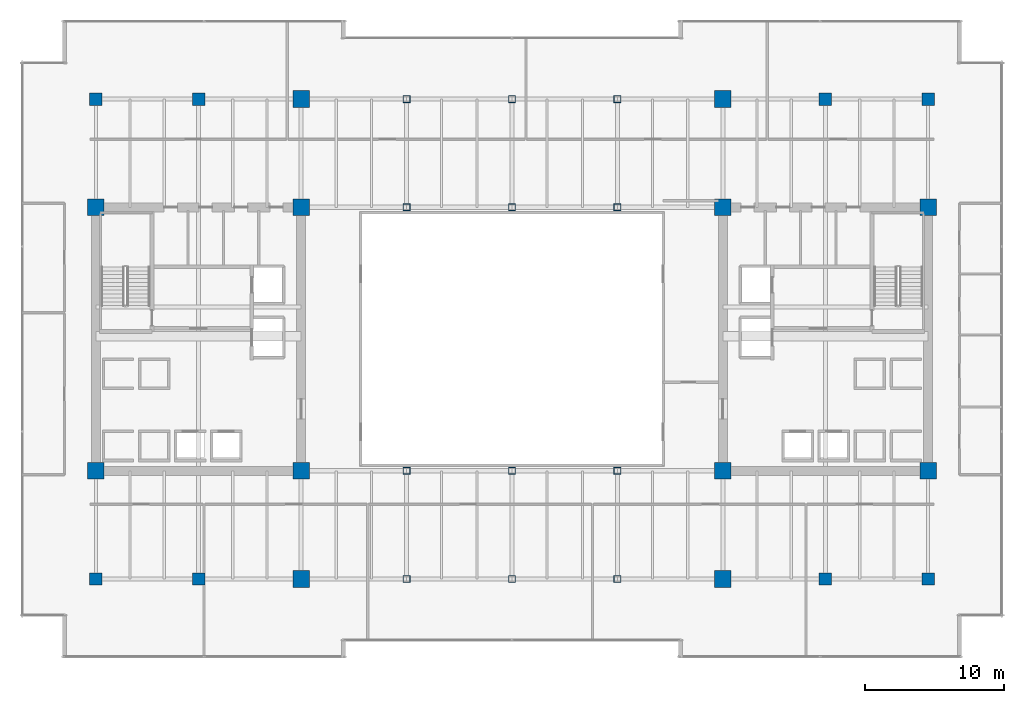
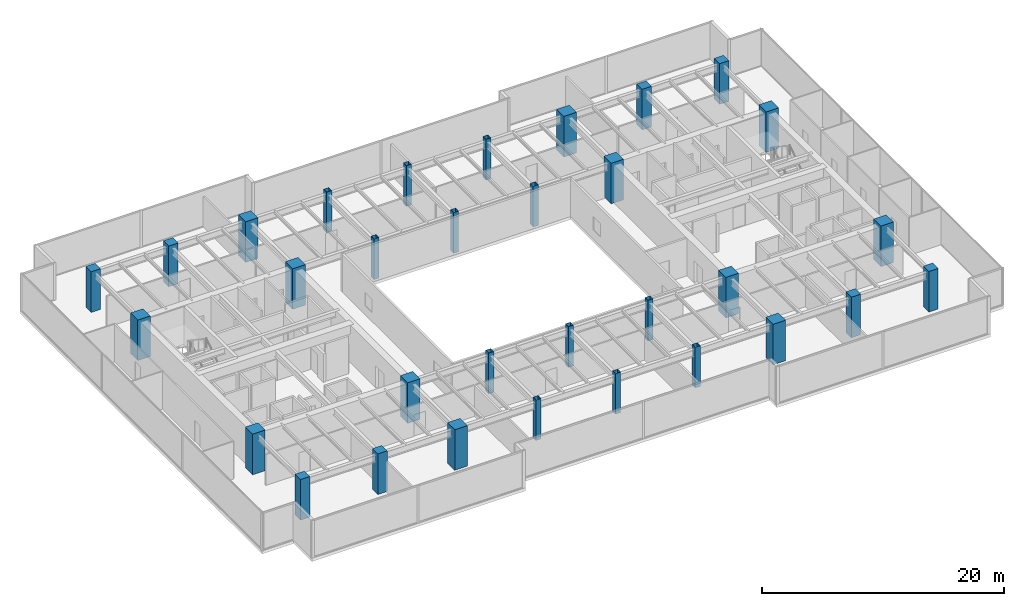
# One storey, part 1 of 30: 32 columns.
"""IFC4 building model written with IfcOpenShell, lengths in metres."""

import ifcopenshell
import ifcopenshell.guid

model = None  # the IFC model being written
_history = None  # IfcOwnerHistory: only IFC2X3 demands one
_inside = {}  # id of a spatial element -> (the spatial element, [elements in it])
_under = {}  # id of a project, library or spatial element -> (it, [spatial elements below it])
_declared = {}  # id of a project -> (the project, [libraries it declares])
_typed = {}  # id of a type object -> (the type object, [elements of that type])
_made_of = {}  # id of a material, layer set ... -> (it, [elements and type objects made of it])


def new_model(schema):
    """Start an empty IFC model of exactly this schema.

    Asked for "IFC4X3", IfcOpenShell would pick the latest addendum, in which some entities
    have other attributes; the version numbers below select the first issue.
    IFC2X3 requires an IfcOwnerHistory on every rooted entity: one is made here for all.
    """
    global model, _history
    if schema == "IFC4X3":
        model = ifcopenshell.file(schema_version=(4, 3, 0, 0))
    else:
        model = ifcopenshell.file(schema=schema)
    _inside.clear()
    _under.clear()
    _declared.clear()
    _typed.clear()
    _made_of.clear()
    _history = None
    if model.schema == "IFC2X3":
        org = make("IfcOrganization", Name="unknown")
        user = make(
            "IfcPersonAndOrganization",
            ThePerson=make("IfcPerson", FamilyName="unknown"),
            TheOrganization=org,
        )
        app = make(
            "IfcApplication",
            ApplicationDeveloper=org,
            Version="unknown",
            ApplicationFullName="unknown",
            ApplicationIdentifier="unknown",
        )
        _history = make(
            "IfcOwnerHistory",
            OwningUser=user,
            OwningApplication=app,
            ChangeAction="ADDED",
            CreationDate=0,
        )
    return model


def make(cls, **values):
    """One entity of the class cls with the attributes given. An attribute that is None is left unset."""
    return model.create_entity(
        cls, **{name: value for name, value in values.items() if value is not None}
    )


def rooted(cls, **values):
    """An entity with a GlobalId (a new one), such as an element, a storey or a relation."""
    return make(cls, GlobalId=ifcopenshell.guid.new(), OwnerHistory=_history, **values)


def si_unit(unit_type, name, prefix=None):
    """IfcSIUnit, for example si_unit("LENGTHUNIT", "METRE", prefix="MILLI")."""
    return make("IfcSIUnit", UnitType=unit_type, Prefix=prefix, Name=name)


def assignment(units):
    """IfcUnitAssignment: the units of a project."""
    return None if units is None else make("IfcUnitAssignment", Units=units)


def point(xyz):
    """IfcCartesianPoint."""
    return None if xyz is None else make("IfcCartesianPoint", Coordinates=xyz)


def direction(xyz):
    """IfcDirection."""
    return None if xyz is None else make("IfcDirection", DirectionRatios=xyz)


def frame(location, z_axis=None, x_axis=None):
    """IfcAxis2Placement3D, a coordinate frame: its origin and axes. An axis left out is left unset."""
    return make(
        "IfcAxis2Placement3D",
        Location=point(location),
        Axis=direction(z_axis),
        RefDirection=direction(x_axis),
    )


def frame_2d(location, x_axis=None):
    """IfcAxis2Placement2D, a coordinate frame in the plane: its origin and x axis."""
    return make(
        "IfcAxis2Placement2D", Location=point(location), RefDirection=direction(x_axis)
    )


def origin():
    """The frame at (0, 0, 0) with its axes left unset."""
    return frame((0.0, 0.0, 0.0))


def origin_2d():
    """The frame at (0, 0) in the plane with its x axis left unset."""
    return frame_2d((0.0, 0.0))


def place(relative_to, where):
    """IfcLocalPlacement: puts the frame where relative to a parent placement (None: the world)."""
    return make(
        "IfcLocalPlacement", PlacementRelTo=relative_to, RelativePlacement=where
    )


def context(
    kind, dimensions, precision=None, world=None, true_north=None, identifier=None
):
    """IfcGeometricRepresentationContext, for example the 3D "Model" context."""
    return make(
        "IfcGeometricRepresentationContext",
        ContextIdentifier=identifier,
        ContextType=kind,
        CoordinateSpaceDimension=dimensions,
        Precision=precision,
        WorldCoordinateSystem=world,
        TrueNorth=true_north,
    )


def subcontext(parent, identifier, kind, view, scale=None):
    """IfcGeometricRepresentationSubContext, for example "Body" below "Model"."""
    return make(
        "IfcGeometricRepresentationSubContext",
        ContextIdentifier=identifier,
        ContextType=kind,
        ParentContext=parent,
        TargetScale=scale,
        TargetView=view,
    )


def project(units=None, contexts=None):
    """IfcProject with its units and contexts."""
    return rooted(
        "IfcProject",
        Name="project",
        RepresentationContexts=contexts,
        UnitsInContext=assignment(units),
    )


def spatial(cls, under=None, at=None, **own):
    """A site, building, storey or space (cls), placed at a placement, below another one or the project."""
    s = rooted(cls, ObjectPlacement=at, **own)
    if under is not None:
        _under.setdefault(under.id(), (under, []))[1].append(s)
    return s


def profile(cls, at=None, kind="AREA", **sizes):
    """A parametric profile (cls). Its sizes go by their IFC names, for example OverallWidth=200.0."""
    return make(cls, ProfileType=kind, Position=at, **sizes)


def rectangle(**sizes):
    """IfcRectangleProfileDef."""
    return profile("IfcRectangleProfileDef", **sizes)


def hollow_rectangle(**sizes):
    """IfcRectangleHollowProfileDef."""
    return profile("IfcRectangleHollowProfileDef", **sizes)


def extrude(swept, where, along, depth):
    """IfcExtrudedAreaSolid: the profile swept, set in the frame where, extruded along a direction by depth."""
    return make(
        "IfcExtrudedAreaSolid",
        SweptArea=swept,
        Position=where,
        ExtrudedDirection=direction(along),
        Depth=depth,
    )


def shape(context_of_items, identifier, shape_type, items):
    """IfcShapeRepresentation: the items that make up one representation, for example the "Body"."""
    return make(
        "IfcShapeRepresentation",
        ContextOfItems=context_of_items,
        RepresentationIdentifier=identifier,
        RepresentationType=shape_type,
        Items=items,
    )


def source(mapping_origin, context_of_items, identifier, shape_type, items):
    """IfcRepresentationMap: a shape defined once, which mapped items show again and again."""
    return make(
        "IfcRepresentationMap",
        MappingOrigin=mapping_origin,
        MappedRepresentation=shape(context_of_items, identifier, shape_type, items),
    )


def transform(
    local_origin,
    x_axis=None,
    y_axis=None,
    z_axis=None,
    scale=None,
    scale2=None,
    scale3=None,
    uniform=True,
):
    """IfcCartesianTransformationOperator3D, or its non-uniform kind. x_axis, y_axis, z_axis: its Axis1, 2, 3."""
    if uniform:
        return make(
            "IfcCartesianTransformationOperator3D",
            Axis1=direction(x_axis),
            Axis2=direction(y_axis),
            LocalOrigin=point(local_origin),
            Scale=scale,
            Axis3=direction(z_axis),
        )
    return make(
        "IfcCartesianTransformationOperator3DnonUniform",
        Axis1=direction(x_axis),
        Axis2=direction(y_axis),
        LocalOrigin=point(local_origin),
        Scale=scale,
        Axis3=direction(z_axis),
        Scale2=scale2,
        Scale3=scale3,
    )


def mapped(mapping_source, mapping_target):
    """IfcMappedItem: shows the shape of a source again, moved by a transform."""
    return make(
        "IfcMappedItem", MappingSource=mapping_source, MappingTarget=mapping_target
    )


def material(Name=None, Category=None):
    """IfcMaterial."""
    return make("IfcMaterial", Name=Name, Category=Category)


def material_profile(
    of_material, cross_section, Name=None, Category=None, Priority=None
):
    """IfcMaterialProfile: a cross section and its material."""
    return make(
        "IfcMaterialProfile",
        Name=Name,
        Material=of_material,
        Profile=cross_section,
        Priority=Priority,
        Category=Category,
    )


def profile_set(profiles, Name=None, composite=None):
    """IfcMaterialProfileSet."""
    return make(
        "IfcMaterialProfileSet",
        Name=Name,
        MaterialProfiles=profiles,
        CompositeProfile=composite,
    )


def made_of(thing, what):
    """Note that an element or type object is made of a material, layer set ...; save() writes the relation."""
    if what is not None:
        _made_of.setdefault(what.id(), (what, []))[1].append(thing)
    return thing


def type_object(cls, material=None, **own):
    """A type object (cls), such as IfcWallType, which elements share."""
    return made_of(rooted(cls, **own), material)


def type_shapes(of_type, sources):
    """Give a type object the sources (RepresentationMaps) that its elements show as mapped items."""
    of_type.RepresentationMaps = sources


def element(
    cls,
    number,
    at=None,
    inside=None,
    cuts=None,
    type_object=None,
    material=None,
    context=None,
    identifier="Body",
    shape_type=None,
    held_by="IfcProductDefinitionShape",
    body=None,
    shapes=None,
    **own,
):
    """One element of the class cls, such as IfcWall. Its Tag is "e" and its number.

    at: its placement. inside: the storey or other place that contains it. cuts: it is an
    opening in that element (IfcRelVoidsElement). A single representation is given by context,
    identifier, shape_type and body (its items); several are given by shapes. held_by: the class
    of the entity that holds the representations. save() writes the other relations.
    """
    e = rooted(cls, Tag="e%d" % number, ObjectPlacement=at, **own)
    if body is not None:
        shapes = [shape(context, identifier, shape_type, body)]
    if shapes is not None:
        e.Representation = make(held_by, Representations=shapes)
    if inside is not None:
        _inside.setdefault(inside.id(), (inside, []))[1].append(e)
    if cuts is not None:
        rooted(
            "IfcRelVoidsElement", RelatingBuildingElement=cuts, RelatedOpeningElement=e
        )
    if type_object is not None:
        _typed.setdefault(type_object.id(), (type_object, []))[1].append(e)
    return made_of(e, material)


def aggregate(whole, parts):
    """IfcRelAggregates: a whole, such as a stair, and the parts it consists of."""
    return rooted("IfcRelAggregates", RelatingObject=whole, RelatedObjects=parts)


def save(model, path):
    """Write the relations noted so far, then the file.

    IfcRelAggregates (storeys below a building ...), IfcRelContainedInSpatialStructure (elements
    in a storey), IfcRelDefinesByType, IfcRelAssociatesMaterial and IfcRelDeclares: one each for
    every whole, place, type object, material and project.
    """
    for whole, parts in _under.values():
        aggregate(whole, parts)
    for where, things in _inside.values():
        rooted(
            "IfcRelContainedInSpatialStructure",
            RelatedElements=things,
            RelatingStructure=where,
        )
    for kind, things in _typed.values():
        rooted("IfcRelDefinesByType", RelatedObjects=things, RelatingType=kind)
    for what, things in _made_of.values():
        rooted("IfcRelAssociatesMaterial", RelatedObjects=things, RelatingMaterial=what)
    for by, libraries in _declared.values():
        rooted("IfcRelDeclares", RelatingContext=by, RelatedDefinitions=libraries)
    model.write(path)


model = new_model("IFC4")

# Units and contexts
model_context = context("Model", 3, precision=1e-05, world=origin(), true_north=direction((0.0, 1.0)))
body_context = subcontext(model_context, "Body", "Model", "MODEL_VIEW")
ifc_project = project(units=[si_unit("LENGTHUNIT", "METRE"), si_unit("AREAUNIT", "SQUARE_METRE"), si_unit("VOLUMEUNIT", "CUBIC_METRE"), si_unit("PLANEANGLEUNIT", "RADIAN"), si_unit("MASSUNIT", "GRAM", prefix="KILO")], contexts=[model_context])

# Site, building, storey
site_placement = place(None, origin())
site = spatial("IfcSite", under=ifc_project, at=site_placement, CompositionType="ELEMENT")
building_placement = place(site_placement, origin())
building = spatial("IfcBuilding", under=site, at=building_placement, Name="Haelvirn Gate Laboratories", CompositionType="ELEMENT")
storey_placement = place(building_placement, frame((0.0, 0.0, 105.10009765625)))
storey = spatial("IfcBuildingStorey", under=building, at=storey_placement, Name="L25", CompositionType="ELEMENT", Elevation=105.10009765625)

# Columns
ifc_material_1 = material(Name="Concrete C50/60", Category="concrete")
ifc_material_profile_1 = material_profile(ifc_material_1, rectangle(XDim=0.89990234375, YDim=0.89990234375, at=origin_2d()), Name="RC-900x900")
ifc_profile_set_1 = profile_set([ifc_material_profile_1], Name="Concrete C50/60")
column_type_1 = type_object("IfcColumnType", Name="COL-RC-900", PredefinedType="COLUMN", material=ifc_profile_set_1)
shared_shape_1 = source(origin(), body_context, "Body", "SweptSolid", [
    extrude(rectangle(XDim=0.89990234375, YDim=0.89990234375, at=origin_2d()), origin(), (0.0, 0.0, 1.0), 4.099853515625),
])
type_shapes(column_type_1, [shared_shape_1])
for number, where, z_axis, x_axis, name in (
    (1, (14.800048828125, 7.0, 0.0), (0.0, 0.0, 1.0), (1.0, 0.0, 0.0), "L25 Column 3B"),
    (2, (14.800048828125, 41.60009765625, 0.0), (0.0, 0.0, 1.0), (1.0, 0.0, 0.0), "L25 Column 3G"),
    (3, (60.0, 7.0, 0.0), (0.0, 0.0, 1.0), (1.0, 0.0, 0.0), "L25 Column 9B"),
    (4, (60.0, 41.60009765625, 0.0), (0.0, 0.0, 1.0), (1.0, 0.0, 0.0), "L25 Column 9G"),
    (5, (7.39990234375, 7.0, 0.0), (0.0, 0.0, 1.0), (1.0, 0.0, 0.0), "L25 Column 2B"),
    (6, (7.39990234375, 41.60009765625, 0.0), (0.0, 0.0, 1.0), (1.0, 0.0, 0.0), "L25 Column 2G"),
    (7, (67.39990234375, 7.0, 0.0), (0.0, 0.0, 1.0), (1.0, 0.0, 0.0), "L25 Column 10B"),
    (8, (67.39990234375, 41.60009765625, 0.0), (0.0, 0.0, 1.0), (1.0, 0.0, 0.0), "L25 Column 10G"),
):
    element("IfcColumn", number, at=place(storey_placement, frame(where, z_axis=z_axis, x_axis=x_axis)), inside=storey, type_object=column_type_1, Name=name, PredefinedType="COLUMN", context=body_context, shape_type="MappedRepresentation", body=[
        mapped(shared_shape_1, transform((0.0, 0.0, 0.0), scale=1.0)),
    ])
ifc_material_2 = material(Name="Concrete C60/75", Category="concrete")
ifc_material_profile_2 = material_profile(ifc_material_2, rectangle(XDim=1.199951171875, YDim=1.199951171875, at=origin_2d()), Name="SRC-1200x1200")
ifc_profile_set_2 = profile_set([ifc_material_profile_2], Name="Concrete C60/75")
column_type_2 = type_object("IfcColumnType", Name="COL-SRC-1200", PredefinedType="COLUMN", material=ifc_profile_set_2)
shared_shape_2 = source(origin(), body_context, "Body", "SweptSolid", [
    extrude(rectangle(XDim=1.199951171875, YDim=1.199951171875, at=origin_2d()), origin(), (0.0, 0.0, 1.0), 4.099853515625),
])
type_shapes(column_type_2, [shared_shape_2])
for number, where, z_axis, x_axis, name in (
    (9, (22.199951171875, 7.0, 0.0), (0.0, 0.0, 1.0), (1.0, 0.0, 0.0), "L25 Column 4B"),
    (10, (7.39990234375, 14.800048828125, 0.0), (0.0, 0.0, 1.0), (1.0, 0.0, 0.0), "L25 Column 2C"),
    (11, (22.199951171875, 14.800048828125, 0.0), (0.0, 0.0, 1.0), (1.0, 0.0, 0.0), "L25 Column 4C"),
    (12, (7.39990234375, 33.800048828125, 0.0), (0.0, 0.0, 1.0), (1.0, 0.0, 0.0), "L25 Column 2F"),
    (13, (22.199951171875, 33.800048828125, 0.0), (0.0, 0.0, 1.0), (1.0, 0.0, 0.0), "L25 Column 4F"),
    (14, (22.199951171875, 41.60009765625, 0.0), (0.0, 0.0, 1.0), (1.0, 0.0, 0.0), "L25 Column 4G"),
    (15, (52.60009765625, 7.0, 0.0), (0.0, 0.0, 1.0), (1.0, 0.0, 0.0), "L25 Column 8B"),
    (16, (52.60009765625, 14.800048828125, 0.0), (0.0, 0.0, 1.0), (1.0, 0.0, 0.0), "L25 Column 8C"),
    (17, (67.39990234375, 14.800048828125, 0.0), (0.0, 0.0, 1.0), (1.0, 0.0, 0.0), "L25 Column 10C"),
    (18, (52.60009765625, 33.800048828125, 0.0), (0.0, 0.0, 1.0), (1.0, 0.0, 0.0), "L25 Column 8F"),
    (19, (67.39990234375, 33.800048828125, 0.0), (0.0, 0.0, 1.0), (1.0, 0.0, 0.0), "L25 Column 10F"),
    (20, (52.60009765625, 41.60009765625, 0.0), (0.0, 0.0, 1.0), (1.0, 0.0, 0.0), "L25 Column 8G"),
):
    element("IfcColumn", number, at=place(storey_placement, frame(where, z_axis=z_axis, x_axis=x_axis)), inside=storey, type_object=column_type_2, Name=name, PredefinedType="COLUMN", context=body_context, shape_type="MappedRepresentation", body=[
        mapped(shared_shape_2, transform((0.0, 0.0, 0.0), scale=1.0)),
    ])
ifc_material_3 = material(Name="Steel SM355", Category="steel")
ifc_material_profile_3 = material_profile(ifc_material_3, hollow_rectangle(XDim=0.5, YDim=0.5, WallThickness=0.02197265625, at=origin_2d()), Name="BOX-500x500x22")
ifc_profile_set_3 = profile_set([ifc_material_profile_3], Name="Steel SM355")
column_type_3 = type_object("IfcColumnType", Name="COL-BOX-500", PredefinedType="COLUMN", material=ifc_profile_set_3)
shared_shape_3 = source(origin(), body_context, "Body", "SweptSolid", [
    extrude(hollow_rectangle(XDim=0.5, YDim=0.5, WallThickness=0.02197265625, at=origin_2d()), origin(), (0.0, 0.0, 1.0), 4.099853515625),
])
type_shapes(column_type_3, [shared_shape_3])
for number, where, z_axis, x_axis, name in (
    (21, (29.800048828125, 7.0, 0.0), (0.0, 0.0, 1.0), (1.0, 0.0, 0.0), "L25 Column 5B"),
    (22, (29.800048828125, 14.800048828125, 0.0), (0.0, 0.0, 1.0), (1.0, 0.0, 0.0), "L25 Column 5C"),
    (23, (29.800048828125, 33.800048828125, 0.0), (0.0, 0.0, 1.0), (1.0, 0.0, 0.0), "L25 Column 5F"),
    (24, (29.800048828125, 41.60009765625, 0.0), (0.0, 0.0, 1.0), (1.0, 0.0, 0.0), "L25 Column 5G"),
    (25, (37.39990234375, 7.0, 0.0), (0.0, 0.0, 1.0), (1.0, 0.0, 0.0), "L25 Column 6B"),
    (26, (37.39990234375, 14.800048828125, 0.0), (0.0, 0.0, 1.0), (1.0, 0.0, 0.0), "L25 Column 6C"),
    (27, (37.39990234375, 33.800048828125, 0.0), (0.0, 0.0, 1.0), (1.0, 0.0, 0.0), "L25 Column 6F"),
    (28, (37.39990234375, 41.60009765625, 0.0), (0.0, 0.0, 1.0), (1.0, 0.0, 0.0), "L25 Column 6G"),
    (29, (45.0, 7.0, 0.0), (0.0, 0.0, 1.0), (1.0, 0.0, 0.0), "L25 Column 7B"),
    (30, (45.0, 14.800048828125, 0.0), (0.0, 0.0, 1.0), (1.0, 0.0, 0.0), "L25 Column 7C"),
    (31, (45.0, 33.800048828125, 0.0), (0.0, 0.0, 1.0), (1.0, 0.0, 0.0), "L25 Column 7F"),
    (32, (45.0, 41.60009765625, 0.0), (0.0, 0.0, 1.0), (1.0, 0.0, 0.0), "L25 Column 7G"),
):
    element("IfcColumn", number, at=place(storey_placement, frame(where, z_axis=z_axis, x_axis=x_axis)), inside=storey, type_object=column_type_3, Name=name, PredefinedType="COLUMN", context=body_context, shape_type="MappedRepresentation", body=[
        mapped(shared_shape_3, transform((0.0, 0.0, 0.0), scale=1.0)),
    ])

save(model, "model.ifc")
